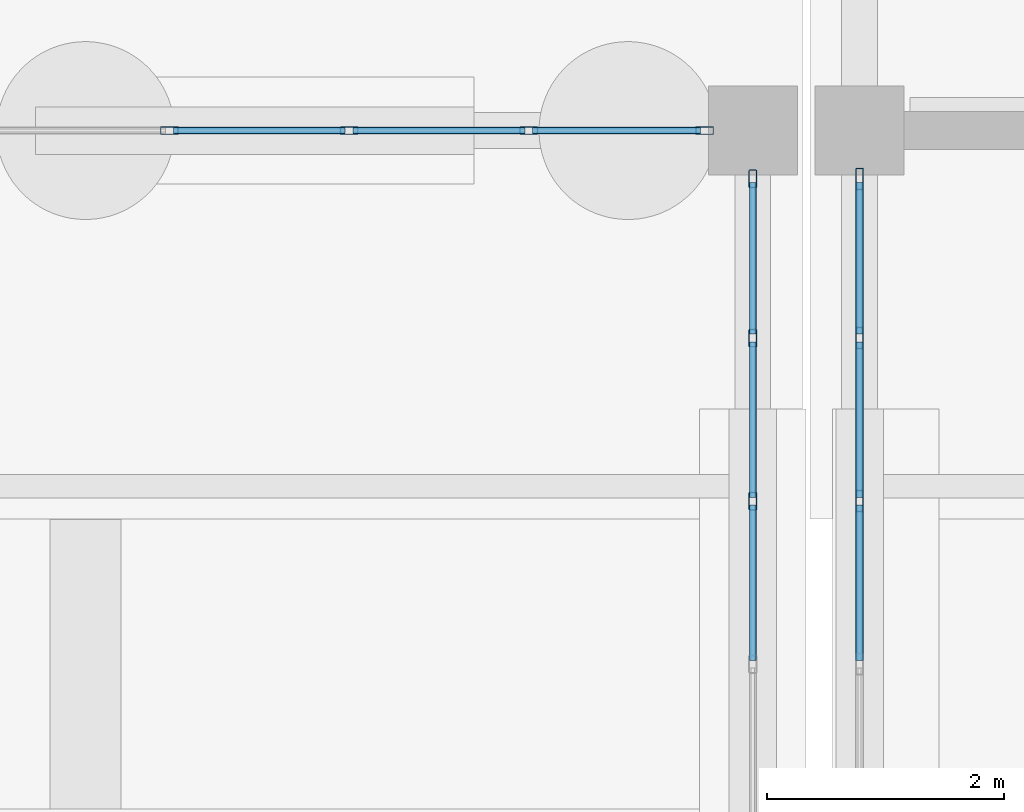
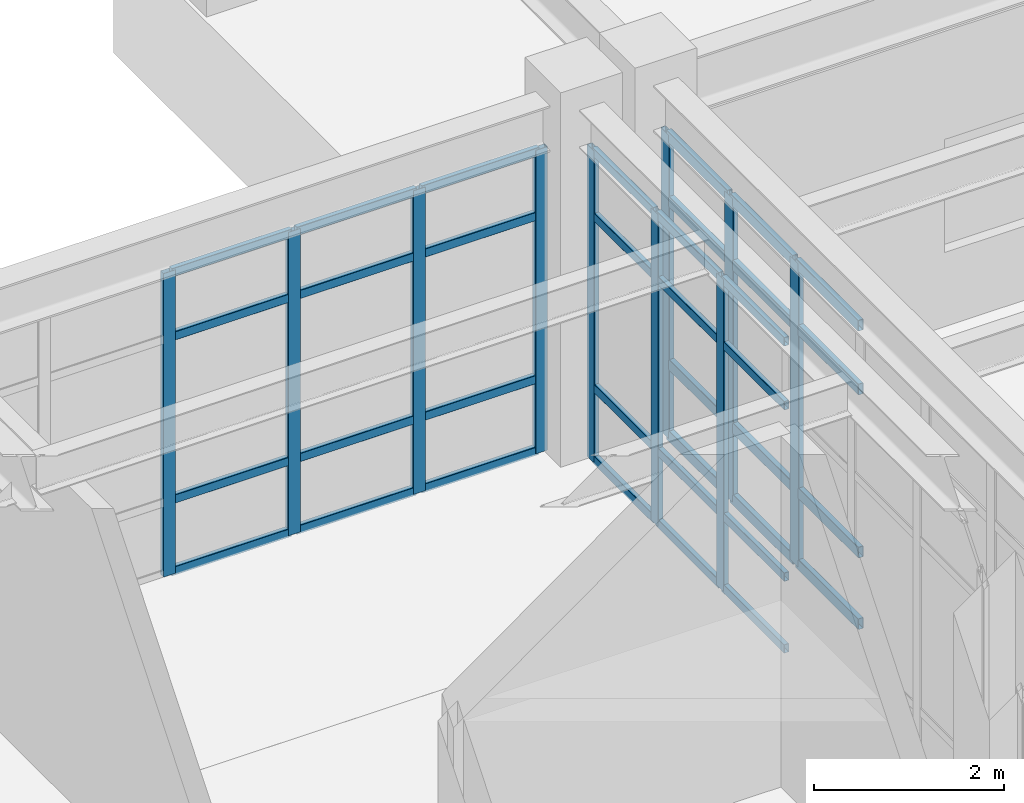
# One storey, part 82 of 139: 46 members, 3 elements without a shape of their own.
"""IFC4 building model written with IfcOpenShell, lengths in metres."""

from ifc_helpers import new_model, si_unit, direction, frame, origin, origin_2d, place, context, subcontext, project, spatial, hollow_rectangle, extrude, material, material_profile, profile_set, type_object, element, aggregate, save


model = new_model("IFC4")

# Units and contexts
model_context = context("Model", 3, precision=1e-05, world=origin(), true_north=direction((0.0, 1.0)))
body_context = subcontext(model_context, "Body", "Model", "MODEL_VIEW")
ifc_project = project(units=[si_unit("LENGTHUNIT", "METRE"), si_unit("AREAUNIT", "SQUARE_METRE"), si_unit("VOLUMEUNIT", "CUBIC_METRE"), si_unit("PLANEANGLEUNIT", "RADIAN"), si_unit("MASSUNIT", "GRAM", prefix="KILO")], contexts=[model_context])

# Site, building, storey
site_placement = place(None, origin())
site = spatial("IfcSite", under=ifc_project, at=site_placement, CompositionType="ELEMENT")
building_placement = place(site_placement, origin())
building = spatial("IfcBuilding", under=site, at=building_placement, Name="Canglan Escarpment Cableway Terminal", CompositionType="ELEMENT")
storey_placement = place(building_placement, frame((0.0, 0.0, 14.39990234375)))
storey = spatial("IfcBuildingStorey", under=building, at=storey_placement, Name="L03", CompositionType="ELEMENT", Elevation=14.39990234375)

# Curtain wall, members
ifc_material_1 = material(Name="Anodized bronze aluminium and Low-E double glazing", Category="aluminium")
curtain_wall_type_1 = type_object("IfcCurtainWallType", Name="CW-BAY-8250x4000", PredefinedType="NOTDEFINED", material=ifc_material_1)
curtain_wall_1_placement = place(storey_placement, origin())
curtain_wall_1 = element("IfcCurtainWall", 1, at=curtain_wall_1_placement, inside=storey, type_object=curtain_wall_type_1, Name="Classical bay-between-piers glazed curtain wall CW-48", PredefinedType="NOTDEFINED")
ifc_material_2 = material(Name="Thermally broken anodized aluminium 6063-T6", Category="aluminium")
ifc_material_profile_1 = material_profile(ifc_material_2, hollow_rectangle(XDim=0.06494140625, YDim=0.14990234375, WallThickness=0.00341796875, InnerFilletRadius=0.00341796875, OuterFilletRadius=0.007080078125, at=origin_2d()), Name="ALU-MULL 65x150x3.5")
ifc_profile_set_1 = profile_set([ifc_material_profile_1], Name="Thermally broken anodized aluminium 6063-T6")
member_type_1 = type_object("IfcMemberType", Name="CWM-02", PredefinedType="MULLION", material=ifc_profile_set_1)
member_1_placement = place(storey_placement, frame((136.699951171875, 111.875, 0.0), z_axis=(0.0, 0.0, 1.0), x_axis=(-1.0, 0.0, 0.0)))
member_1 = element("IfcMember", 2, at=member_1_placement, type_object=member_type_1, Name="CW-48 mullion 5", PredefinedType="MULLION", context=body_context, shape_type="SweptSolid", body=[
    extrude(hollow_rectangle(XDim=0.06494140625, YDim=0.14990234375, WallThickness=0.00341796875, InnerFilletRadius=0.00341796875, OuterFilletRadius=0.007080078125, at=origin_2d()), origin(), (0.0, 0.0, 1.0), 3.9970703125),
])
member_2_placement = place(storey_placement, frame((136.699951171875, 113.25, 0.0), z_axis=(0.0, 0.0, 1.0), x_axis=(-1.0, 0.0, 0.0)))
member_2 = element("IfcMember", 3, at=member_2_placement, type_object=member_type_1, Name="CW-48 mullion 6", PredefinedType="MULLION", context=body_context, shape_type="SweptSolid", body=[
    extrude(hollow_rectangle(XDim=0.06494140625, YDim=0.14990234375, WallThickness=0.00341796875, InnerFilletRadius=0.00341796875, OuterFilletRadius=0.007080078125, at=origin_2d()), origin(), (0.0, 0.0, 1.0), 3.9970703125),
])
member_3_placement = place(storey_placement, frame((136.699951171875, 114.592529296875, 0.0), z_axis=(0.0, 0.0, 1.0), x_axis=(-1.0, 0.0, 0.0)))
member_3 = element("IfcMember", 4, at=member_3_placement, type_object=member_type_1, Name="CW-48 mullion 7", PredefinedType="MULLION", context=body_context, shape_type="SweptSolid", body=[
    extrude(hollow_rectangle(XDim=0.06494140625, YDim=0.14990234375, WallThickness=0.00341796875, InnerFilletRadius=0.00341796875, OuterFilletRadius=0.007080078125, at=origin_2d()), origin(), (0.0, 0.0, 1.0), 3.9970703125),
])

curtain_wall_type_2 = type_object("IfcCurtainWallType", Name="CW-BAY-7575x3900", PredefinedType="NOTDEFINED", material=ifc_material_1)
curtain_wall_2_placement = place(storey_placement, origin())
curtain_wall_2 = element("IfcCurtainWall", 5, at=curtain_wall_2_placement, inside=storey, type_object=curtain_wall_type_2, Name="Classical bay-between-piers glazed curtain wall CW-49", PredefinedType="NOTDEFINED")
member_4_placement = place(storey_placement, frame((136.29248046875, 115.0, 0.0), z_axis=(0.0, 0.0, 1.0), x_axis=(0.0, -1.0, 0.0)))
member_4 = element("IfcMember", 6, at=member_4_placement, type_object=member_type_1, Name="CW-49 mullion 1", PredefinedType="MULLION", context=body_context, shape_type="SweptSolid", body=[
    extrude(hollow_rectangle(XDim=0.06494140625, YDim=0.14990234375, WallThickness=0.00341796875, InnerFilletRadius=0.00341796875, OuterFilletRadius=0.007080078125, at=origin_2d()), origin(), (0.0, 0.0, 1.0), 3.89111328125),
])
member_5_placement = place(storey_placement, frame((134.81005859375, 115.0, 0.0), z_axis=(0.0, 0.0, 1.0), x_axis=(0.0, -1.0, 0.0)))
member_5 = element("IfcMember", 7, at=member_5_placement, type_object=member_type_1, Name="CW-49 mullion 2", PredefinedType="MULLION", context=body_context, shape_type="SweptSolid", body=[
    extrude(hollow_rectangle(XDim=0.06494140625, YDim=0.14990234375, WallThickness=0.00341796875, InnerFilletRadius=0.00341796875, OuterFilletRadius=0.007080078125, at=origin_2d()), origin(), (0.0, 0.0, 1.0), 3.89111328125),
])
member_6_placement = place(storey_placement, frame((133.294921875, 115.0, 0.0), z_axis=(0.0, 0.0, 1.0), x_axis=(0.0, -1.0, 0.0)))
member_6 = element("IfcMember", 8, at=member_6_placement, type_object=member_type_1, Name="CW-49 mullion 3", PredefinedType="MULLION", context=body_context, shape_type="SweptSolid", body=[
    extrude(hollow_rectangle(XDim=0.06494140625, YDim=0.14990234375, WallThickness=0.00341796875, InnerFilletRadius=0.00341796875, OuterFilletRadius=0.007080078125, at=origin_2d()), origin(), (0.0, 0.0, 1.0), 3.89111328125),
])
member_7_placement = place(storey_placement, frame((131.780029296875, 115.0, 0.0), z_axis=(0.0, 0.0, 1.0), x_axis=(0.0, -1.0, 0.0)))
member_7 = element("IfcMember", 9, at=member_7_placement, type_object=member_type_1, Name="CW-49 mullion 4", PredefinedType="MULLION", context=body_context, shape_type="SweptSolid", body=[
    extrude(hollow_rectangle(XDim=0.06494140625, YDim=0.14990234375, WallThickness=0.00341796875, InnerFilletRadius=0.00341796875, OuterFilletRadius=0.007080078125, at=origin_2d()), origin(), (0.0, 0.0, 1.0), 3.89111328125),
])

curtain_wall_type_3 = type_object("IfcCurtainWallType", Name="CW-BAY-8250x3900", PredefinedType="NOTDEFINED", material=ifc_material_1)
curtain_wall_3_placement = place(storey_placement, origin())
curtain_wall_3 = element("IfcCurtainWall", 10, at=curtain_wall_3_placement, inside=storey, type_object=curtain_wall_type_3, Name="Classical bay-between-piers glazed curtain wall CW-62", PredefinedType="NOTDEFINED")
ifc_material_profile_2 = material_profile(ifc_material_2, hollow_rectangle(XDim=0.06494140625, YDim=0.179931640625, WallThickness=0.00390625, InnerFilletRadius=0.00390625, OuterFilletRadius=0.008056640625, at=origin_2d()), Name="ALU-MULL 65x180x4")
ifc_profile_set_2 = profile_set([ifc_material_profile_2], Name="Thermally broken anodized aluminium 6063-T6")
member_type_2 = type_object("IfcMemberType", Name="CWM-03", PredefinedType="MULLION", material=ifc_profile_set_2)
member_8_placement = place(storey_placement, frame((137.60009765625, 114.592529296875, 0.0), z_axis=(0.0, 0.0, 1.0), x_axis=(1.0, 0.0, 0.0)))
member_8 = element("IfcMember", 11, at=member_8_placement, type_object=member_type_2, Name="CW-62 mullion 1", PredefinedType="MULLION", context=body_context, shape_type="SweptSolid", body=[
    extrude(hollow_rectangle(XDim=0.06494140625, YDim=0.179931640625, WallThickness=0.00390625, InnerFilletRadius=0.00390625, OuterFilletRadius=0.008056640625, at=origin_2d()), origin(), (0.0, 0.0, 1.0), 3.89111328125),
])
member_9_placement = place(storey_placement, frame((137.60009765625, 113.25, 0.0), z_axis=(0.0, 0.0, 1.0), x_axis=(1.0, 0.0, 0.0)))
member_9 = element("IfcMember", 12, at=member_9_placement, type_object=member_type_2, Name="CW-62 mullion 2", PredefinedType="MULLION", context=body_context, shape_type="SweptSolid", body=[
    extrude(hollow_rectangle(XDim=0.06494140625, YDim=0.179931640625, WallThickness=0.00390625, InnerFilletRadius=0.00390625, OuterFilletRadius=0.008056640625, at=origin_2d()), origin(), (0.0, 0.0, 1.0), 3.89111328125),
])
member_10_placement = place(storey_placement, frame((137.60009765625, 111.875, 0.0), z_axis=(0.0, 0.0, 1.0), x_axis=(1.0, 0.0, 0.0)))
member_10 = element("IfcMember", 13, at=member_10_placement, type_object=member_type_2, Name="CW-62 mullion 3", PredefinedType="MULLION", context=body_context, shape_type="SweptSolid", body=[
    extrude(hollow_rectangle(XDim=0.06494140625, YDim=0.179931640625, WallThickness=0.00390625, InnerFilletRadius=0.00390625, OuterFilletRadius=0.008056640625, at=origin_2d()), origin(), (0.0, 0.0, 1.0), 3.89111328125),
])

# Member
ifc_material_profile_3 = material_profile(ifc_material_2, hollow_rectangle(XDim=0.06005859375, YDim=0.110107421875, WallThickness=0.0029296875, InnerFilletRadius=0.0029296875, OuterFilletRadius=0.006103515625, at=origin_2d()), Name="ALU-TRAN 60x110x3")
ifc_profile_set_3 = profile_set([ifc_material_profile_3], Name="Thermally broken anodized aluminium 6063-T6")
member_type_3 = type_object("IfcMemberType", Name="CWT-02", PredefinedType="USERDEFINED", material=ifc_profile_set_3)
member_11_placement = place(storey_placement, frame((136.699951171875, 110.532470703125, 0.030029296875), z_axis=(0.0, 1.0, 0.0), x_axis=(-1.0, 0.0, 0.0)))
member_11 = element("IfcMember", 14, at=member_11_placement, type_object=member_type_3, Name="CW-48 transom 4.1", ObjectType="TRANSOM", PredefinedType="USERDEFINED", context=body_context, shape_type="SweptSolid", body=[
    extrude(hollow_rectangle(XDim=0.06005859375, YDim=0.110107421875, WallThickness=0.0029296875, InnerFilletRadius=0.0029296875, OuterFilletRadius=0.006103515625, at=origin_2d()), origin(), (0.0, 0.0, 1.0), 1.31005859375),
])

member_12_placement = place(storey_placement, frame((136.699951171875, 110.532470703125, 0.9501953125), z_axis=(0.0, 1.0, 0.0), x_axis=(-1.0, 0.0, 0.0)))
member_12 = element("IfcMember", 15, at=member_12_placement, type_object=member_type_3, Name="CW-48 transom 4.2", ObjectType="TRANSOM", PredefinedType="USERDEFINED", context=body_context, shape_type="SweptSolid", body=[
    extrude(hollow_rectangle(XDim=0.06005859375, YDim=0.110107421875, WallThickness=0.0029296875, InnerFilletRadius=0.0029296875, OuterFilletRadius=0.006103515625, at=origin_2d()), origin(), (0.0, 0.0, 1.0), 1.31005859375),
])

member_13_placement = place(storey_placement, frame((136.699951171875, 110.532470703125, 3.147216796875), z_axis=(0.0, 1.0, 0.0), x_axis=(-1.0, 0.0, 0.0)))
member_13 = element("IfcMember", 16, at=member_13_placement, type_object=member_type_3, Name="CW-48 transom 4.3", ObjectType="TRANSOM", PredefinedType="USERDEFINED", context=body_context, shape_type="SweptSolid", body=[
    extrude(hollow_rectangle(XDim=0.06005859375, YDim=0.110107421875, WallThickness=0.0029296875, InnerFilletRadius=0.0029296875, OuterFilletRadius=0.006103515625, at=origin_2d()), origin(), (0.0, 0.0, 1.0), 1.31005859375),
])

member_14_placement = place(storey_placement, frame((136.699951171875, 110.532470703125, 3.967041015625), z_axis=(0.0, 1.0, 0.0), x_axis=(-1.0, 0.0, 0.0)))
member_14 = element("IfcMember", 17, at=member_14_placement, type_object=member_type_3, Name="CW-48 transom 4.4", ObjectType="TRANSOM", PredefinedType="USERDEFINED", context=body_context, shape_type="SweptSolid", body=[
    extrude(hollow_rectangle(XDim=0.06005859375, YDim=0.110107421875, WallThickness=0.0029296875, InnerFilletRadius=0.0029296875, OuterFilletRadius=0.006103515625, at=origin_2d()), origin(), (0.0, 0.0, 1.0), 1.31005859375),
])

member_15_placement = place(storey_placement, frame((136.699951171875, 111.907470703125, 0.030029296875), z_axis=(0.0, 1.0, 0.0), x_axis=(-1.0, 0.0, 0.0)))
member_15 = element("IfcMember", 18, at=member_15_placement, type_object=member_type_3, Name="CW-48 transom 5.1", ObjectType="TRANSOM", PredefinedType="USERDEFINED", context=body_context, shape_type="SweptSolid", body=[
    extrude(hollow_rectangle(XDim=0.06005859375, YDim=0.110107421875, WallThickness=0.0029296875, InnerFilletRadius=0.0029296875, OuterFilletRadius=0.006103515625, at=origin_2d()), origin(), (0.0, 0.0, 1.0), 1.31005859375),
])

member_16_placement = place(storey_placement, frame((136.699951171875, 111.907470703125, 0.9501953125), z_axis=(0.0, 1.0, 0.0), x_axis=(-1.0, 0.0, 0.0)))
member_16 = element("IfcMember", 19, at=member_16_placement, type_object=member_type_3, Name="CW-48 transom 5.2", ObjectType="TRANSOM", PredefinedType="USERDEFINED", context=body_context, shape_type="SweptSolid", body=[
    extrude(hollow_rectangle(XDim=0.06005859375, YDim=0.110107421875, WallThickness=0.0029296875, InnerFilletRadius=0.0029296875, OuterFilletRadius=0.006103515625, at=origin_2d()), origin(), (0.0, 0.0, 1.0), 1.31005859375),
])

member_17_placement = place(storey_placement, frame((136.699951171875, 111.907470703125, 3.147216796875), z_axis=(0.0, 1.0, 0.0), x_axis=(-1.0, 0.0, 0.0)))
member_17 = element("IfcMember", 20, at=member_17_placement, type_object=member_type_3, Name="CW-48 transom 5.3", ObjectType="TRANSOM", PredefinedType="USERDEFINED", context=body_context, shape_type="SweptSolid", body=[
    extrude(hollow_rectangle(XDim=0.06005859375, YDim=0.110107421875, WallThickness=0.0029296875, InnerFilletRadius=0.0029296875, OuterFilletRadius=0.006103515625, at=origin_2d()), origin(), (0.0, 0.0, 1.0), 1.31005859375),
])

member_18_placement = place(storey_placement, frame((136.699951171875, 111.907470703125, 3.967041015625), z_axis=(0.0, 1.0, 0.0), x_axis=(-1.0, 0.0, 0.0)))
member_18 = element("IfcMember", 21, at=member_18_placement, type_object=member_type_3, Name="CW-48 transom 5.4", ObjectType="TRANSOM", PredefinedType="USERDEFINED", context=body_context, shape_type="SweptSolid", body=[
    extrude(hollow_rectangle(XDim=0.06005859375, YDim=0.110107421875, WallThickness=0.0029296875, InnerFilletRadius=0.0029296875, OuterFilletRadius=0.006103515625, at=origin_2d()), origin(), (0.0, 0.0, 1.0), 1.31005859375),
])

member_19_placement = place(storey_placement, frame((136.699951171875, 113.282470703125, 0.030029296875), z_axis=(0.0, 1.0, 0.0), x_axis=(-1.0, 0.0, 0.0)))
member_19 = element("IfcMember", 22, at=member_19_placement, type_object=member_type_3, Name="CW-48 transom 6.1", ObjectType="TRANSOM", PredefinedType="USERDEFINED", context=body_context, shape_type="SweptSolid", body=[
    extrude(hollow_rectangle(XDim=0.06005859375, YDim=0.110107421875, WallThickness=0.0029296875, InnerFilletRadius=0.0029296875, OuterFilletRadius=0.006103515625, at=origin_2d()), origin(), (0.0, 0.0, 1.0), 1.277587890625),
])

member_20_placement = place(storey_placement, frame((136.699951171875, 113.282470703125, 0.9501953125), z_axis=(0.0, 1.0, 0.0), x_axis=(-1.0, 0.0, 0.0)))
member_20 = element("IfcMember", 23, at=member_20_placement, type_object=member_type_3, Name="CW-48 transom 6.2", ObjectType="TRANSOM", PredefinedType="USERDEFINED", context=body_context, shape_type="SweptSolid", body=[
    extrude(hollow_rectangle(XDim=0.06005859375, YDim=0.110107421875, WallThickness=0.0029296875, InnerFilletRadius=0.0029296875, OuterFilletRadius=0.006103515625, at=origin_2d()), origin(), (0.0, 0.0, 1.0), 1.277587890625),
])

member_21_placement = place(storey_placement, frame((136.699951171875, 113.282470703125, 3.147216796875), z_axis=(0.0, 1.0, 0.0), x_axis=(-1.0, 0.0, 0.0)))
member_21 = element("IfcMember", 24, at=member_21_placement, type_object=member_type_3, Name="CW-48 transom 6.3", ObjectType="TRANSOM", PredefinedType="USERDEFINED", context=body_context, shape_type="SweptSolid", body=[
    extrude(hollow_rectangle(XDim=0.06005859375, YDim=0.110107421875, WallThickness=0.0029296875, InnerFilletRadius=0.0029296875, OuterFilletRadius=0.006103515625, at=origin_2d()), origin(), (0.0, 0.0, 1.0), 1.277587890625),
])

member_22_placement = place(storey_placement, frame((136.699951171875, 113.282470703125, 3.967041015625), z_axis=(0.0, 1.0, 0.0), x_axis=(-1.0, 0.0, 0.0)))
member_22 = element("IfcMember", 25, at=member_22_placement, type_object=member_type_3, Name="CW-48 transom 6.4", ObjectType="TRANSOM", PredefinedType="USERDEFINED", context=body_context, shape_type="SweptSolid", body=[
    extrude(hollow_rectangle(XDim=0.06005859375, YDim=0.110107421875, WallThickness=0.0029296875, InnerFilletRadius=0.0029296875, OuterFilletRadius=0.006103515625, at=origin_2d()), origin(), (0.0, 0.0, 1.0), 1.277587890625),
])

aggregate(curtain_wall_1, [member_1, member_2, member_3, member_11, member_12, member_13, member_14, member_15, member_16, member_17, member_18, member_19, member_20, member_21, member_22])

member_23_placement = place(storey_placement, frame((136.260009765625, 115.0, 0.030029296875), z_axis=(-1.0, 0.0, 0.0), x_axis=(0.0, -1.0, 0.0)))
member_23 = element("IfcMember", 26, at=member_23_placement, type_object=member_type_3, Name="CW-49 transom 1.1", ObjectType="TRANSOM", PredefinedType="USERDEFINED", context=body_context, shape_type="SweptSolid", body=[
    extrude(hollow_rectangle(XDim=0.06005859375, YDim=0.110107421875, WallThickness=0.0029296875, InnerFilletRadius=0.0029296875, OuterFilletRadius=0.006103515625, at=origin_2d()), origin(), (0.0, 0.0, 1.0), 1.41748046875),
])

member_24_placement = place(storey_placement, frame((136.260009765625, 115.0, 0.9501953125), z_axis=(-1.0, 0.0, 0.0), x_axis=(0.0, -1.0, 0.0)))
member_24 = element("IfcMember", 27, at=member_24_placement, type_object=member_type_3, Name="CW-49 transom 1.2", ObjectType="TRANSOM", PredefinedType="USERDEFINED", context=body_context, shape_type="SweptSolid", body=[
    extrude(hollow_rectangle(XDim=0.06005859375, YDim=0.110107421875, WallThickness=0.0029296875, InnerFilletRadius=0.0029296875, OuterFilletRadius=0.006103515625, at=origin_2d()), origin(), (0.0, 0.0, 1.0), 1.41748046875),
])

member_25_placement = place(storey_placement, frame((136.260009765625, 115.0, 3.041015625), z_axis=(-1.0, 0.0, 0.0), x_axis=(0.0, -1.0, 0.0)))
member_25 = element("IfcMember", 28, at=member_25_placement, type_object=member_type_3, Name="CW-49 transom 1.3", ObjectType="TRANSOM", PredefinedType="USERDEFINED", context=body_context, shape_type="SweptSolid", body=[
    extrude(hollow_rectangle(XDim=0.06005859375, YDim=0.110107421875, WallThickness=0.0029296875, InnerFilletRadius=0.0029296875, OuterFilletRadius=0.006103515625, at=origin_2d()), origin(), (0.0, 0.0, 1.0), 1.41748046875),
])

member_26_placement = place(storey_placement, frame((136.260009765625, 115.0, 3.861083984375), z_axis=(-1.0, 0.0, 0.0), x_axis=(0.0, -1.0, 0.0)))
member_26 = element("IfcMember", 29, at=member_26_placement, type_object=member_type_3, Name="CW-49 transom 1.4", ObjectType="TRANSOM", PredefinedType="USERDEFINED", context=body_context, shape_type="SweptSolid", body=[
    extrude(hollow_rectangle(XDim=0.06005859375, YDim=0.110107421875, WallThickness=0.0029296875, InnerFilletRadius=0.0029296875, OuterFilletRadius=0.006103515625, at=origin_2d()), origin(), (0.0, 0.0, 1.0), 1.41748046875),
])

member_27_placement = place(storey_placement, frame((134.777587890625, 115.0, 0.030029296875), z_axis=(-1.0, 0.0, 0.0), x_axis=(0.0, -1.0, 0.0)))
member_27 = element("IfcMember", 30, at=member_27_placement, type_object=member_type_3, Name="CW-49 transom 2.1", ObjectType="TRANSOM", PredefinedType="USERDEFINED", context=body_context, shape_type="SweptSolid", body=[
    extrude(hollow_rectangle(XDim=0.06005859375, YDim=0.110107421875, WallThickness=0.0029296875, InnerFilletRadius=0.0029296875, OuterFilletRadius=0.006103515625, at=origin_2d()), origin(), (0.0, 0.0, 1.0), 1.4501953125),
])

member_28_placement = place(storey_placement, frame((134.777587890625, 115.0, 0.9501953125), z_axis=(-1.0, 0.0, 0.0), x_axis=(0.0, -1.0, 0.0)))
member_28 = element("IfcMember", 31, at=member_28_placement, type_object=member_type_3, Name="CW-49 transom 2.2", ObjectType="TRANSOM", PredefinedType="USERDEFINED", context=body_context, shape_type="SweptSolid", body=[
    extrude(hollow_rectangle(XDim=0.06005859375, YDim=0.110107421875, WallThickness=0.0029296875, InnerFilletRadius=0.0029296875, OuterFilletRadius=0.006103515625, at=origin_2d()), origin(), (0.0, 0.0, 1.0), 1.4501953125),
])

member_29_placement = place(storey_placement, frame((134.777587890625, 115.0, 3.041015625), z_axis=(-1.0, 0.0, 0.0), x_axis=(0.0, -1.0, 0.0)))
member_29 = element("IfcMember", 32, at=member_29_placement, type_object=member_type_3, Name="CW-49 transom 2.3", ObjectType="TRANSOM", PredefinedType="USERDEFINED", context=body_context, shape_type="SweptSolid", body=[
    extrude(hollow_rectangle(XDim=0.06005859375, YDim=0.110107421875, WallThickness=0.0029296875, InnerFilletRadius=0.0029296875, OuterFilletRadius=0.006103515625, at=origin_2d()), origin(), (0.0, 0.0, 1.0), 1.4501953125),
])

member_30_placement = place(storey_placement, frame((134.777587890625, 115.0, 3.861083984375), z_axis=(-1.0, 0.0, 0.0), x_axis=(0.0, -1.0, 0.0)))
member_30 = element("IfcMember", 33, at=member_30_placement, type_object=member_type_3, Name="CW-49 transom 2.4", ObjectType="TRANSOM", PredefinedType="USERDEFINED", context=body_context, shape_type="SweptSolid", body=[
    extrude(hollow_rectangle(XDim=0.06005859375, YDim=0.110107421875, WallThickness=0.0029296875, InnerFilletRadius=0.0029296875, OuterFilletRadius=0.006103515625, at=origin_2d()), origin(), (0.0, 0.0, 1.0), 1.4501953125),
])

member_31_placement = place(storey_placement, frame((133.262451171875, 115.0, 0.030029296875), z_axis=(-1.0, 0.0, 0.0), x_axis=(0.0, -1.0, 0.0)))
member_31 = element("IfcMember", 34, at=member_31_placement, type_object=member_type_3, Name="CW-49 transom 3.1", ObjectType="TRANSOM", PredefinedType="USERDEFINED", context=body_context, shape_type="SweptSolid", body=[
    extrude(hollow_rectangle(XDim=0.06005859375, YDim=0.110107421875, WallThickness=0.0029296875, InnerFilletRadius=0.0029296875, OuterFilletRadius=0.006103515625, at=origin_2d()), origin(), (0.0, 0.0, 1.0), 1.449951171875),
])

member_32_placement = place(storey_placement, frame((133.262451171875, 115.0, 0.9501953125), z_axis=(-1.0, 0.0, 0.0), x_axis=(0.0, -1.0, 0.0)))
member_32 = element("IfcMember", 35, at=member_32_placement, type_object=member_type_3, Name="CW-49 transom 3.2", ObjectType="TRANSOM", PredefinedType="USERDEFINED", context=body_context, shape_type="SweptSolid", body=[
    extrude(hollow_rectangle(XDim=0.06005859375, YDim=0.110107421875, WallThickness=0.0029296875, InnerFilletRadius=0.0029296875, OuterFilletRadius=0.006103515625, at=origin_2d()), origin(), (0.0, 0.0, 1.0), 1.449951171875),
])

member_33_placement = place(storey_placement, frame((133.262451171875, 115.0, 3.041015625), z_axis=(-1.0, 0.0, 0.0), x_axis=(0.0, -1.0, 0.0)))
member_33 = element("IfcMember", 36, at=member_33_placement, type_object=member_type_3, Name="CW-49 transom 3.3", ObjectType="TRANSOM", PredefinedType="USERDEFINED", context=body_context, shape_type="SweptSolid", body=[
    extrude(hollow_rectangle(XDim=0.06005859375, YDim=0.110107421875, WallThickness=0.0029296875, InnerFilletRadius=0.0029296875, OuterFilletRadius=0.006103515625, at=origin_2d()), origin(), (0.0, 0.0, 1.0), 1.449951171875),
])

member_34_placement = place(storey_placement, frame((133.262451171875, 115.0, 3.861083984375), z_axis=(-1.0, 0.0, 0.0), x_axis=(0.0, -1.0, 0.0)))
member_34 = element("IfcMember", 37, at=member_34_placement, type_object=member_type_3, Name="CW-49 transom 3.4", ObjectType="TRANSOM", PredefinedType="USERDEFINED", context=body_context, shape_type="SweptSolid", body=[
    extrude(hollow_rectangle(XDim=0.06005859375, YDim=0.110107421875, WallThickness=0.0029296875, InnerFilletRadius=0.0029296875, OuterFilletRadius=0.006103515625, at=origin_2d()), origin(), (0.0, 0.0, 1.0), 1.449951171875),
])

aggregate(curtain_wall_2, [member_4, member_5, member_6, member_7, member_23, member_24, member_25, member_26, member_27, member_28, member_29, member_30, member_31, member_32, member_33, member_34])

ifc_material_profile_4 = material_profile(ifc_material_2, hollow_rectangle(XDim=0.06494140625, YDim=0.139892578125, WallThickness=0.00341796875, InnerFilletRadius=0.00341796875, OuterFilletRadius=0.007080078125, at=origin_2d()), Name="ALU-TRAN 65x140x3.5")
ifc_profile_set_4 = profile_set([ifc_material_profile_4], Name="Thermally broken anodized aluminium 6063-T6")
member_type_4 = type_object("IfcMemberType", Name="CWT-03", PredefinedType="USERDEFINED", material=ifc_profile_set_4)
member_35_placement = place(storey_placement, frame((137.60009765625, 114.56005859375, 0.03271484375), z_axis=(0.0, -1.0, 0.0), x_axis=(1.0, 0.0, 0.0)))
member_35 = element("IfcMember", 38, at=member_35_placement, type_object=member_type_4, Name="CW-62 transom 1.1", ObjectType="TRANSOM", PredefinedType="USERDEFINED", context=body_context, shape_type="SweptSolid", body=[
    extrude(hollow_rectangle(XDim=0.06494140625, YDim=0.139892578125, WallThickness=0.00341796875, InnerFilletRadius=0.00341796875, OuterFilletRadius=0.007080078125, at=origin_2d()), origin(), (0.0, 0.0, 1.0), 1.277587890625),
])

member_36_placement = place(storey_placement, frame((137.60009765625, 114.56005859375, 0.9501953125), z_axis=(0.0, -1.0, 0.0), x_axis=(1.0, 0.0, 0.0)))
member_36 = element("IfcMember", 39, at=member_36_placement, type_object=member_type_4, Name="CW-62 transom 1.2", ObjectType="TRANSOM", PredefinedType="USERDEFINED", context=body_context, shape_type="SweptSolid", body=[
    extrude(hollow_rectangle(XDim=0.06494140625, YDim=0.139892578125, WallThickness=0.00341796875, InnerFilletRadius=0.00341796875, OuterFilletRadius=0.007080078125, at=origin_2d()), origin(), (0.0, 0.0, 1.0), 1.277587890625),
])

member_37_placement = place(storey_placement, frame((137.60009765625, 114.56005859375, 3.041015625), z_axis=(0.0, -1.0, 0.0), x_axis=(1.0, 0.0, 0.0)))
member_37 = element("IfcMember", 40, at=member_37_placement, type_object=member_type_4, Name="CW-62 transom 1.3", ObjectType="TRANSOM", PredefinedType="USERDEFINED", context=body_context, shape_type="SweptSolid", body=[
    extrude(hollow_rectangle(XDim=0.06494140625, YDim=0.139892578125, WallThickness=0.00341796875, InnerFilletRadius=0.00341796875, OuterFilletRadius=0.007080078125, at=origin_2d()), origin(), (0.0, 0.0, 1.0), 1.277587890625),
])

member_38_placement = place(storey_placement, frame((137.60009765625, 114.56005859375, 3.858642578125), z_axis=(0.0, -1.0, 0.0), x_axis=(1.0, 0.0, 0.0)))
member_38 = element("IfcMember", 41, at=member_38_placement, type_object=member_type_4, Name="CW-62 transom 1.4", ObjectType="TRANSOM", PredefinedType="USERDEFINED", context=body_context, shape_type="SweptSolid", body=[
    extrude(hollow_rectangle(XDim=0.06494140625, YDim=0.139892578125, WallThickness=0.00341796875, InnerFilletRadius=0.00341796875, OuterFilletRadius=0.007080078125, at=origin_2d()), origin(), (0.0, 0.0, 1.0), 1.277587890625),
])

member_39_placement = place(storey_placement, frame((137.60009765625, 113.217529296875, 0.03271484375), z_axis=(0.0, -1.0, 0.0), x_axis=(1.0, 0.0, 0.0)))
member_39 = element("IfcMember", 42, at=member_39_placement, type_object=member_type_4, Name="CW-62 transom 2.1", ObjectType="TRANSOM", PredefinedType="USERDEFINED", context=body_context, shape_type="SweptSolid", body=[
    extrude(hollow_rectangle(XDim=0.06494140625, YDim=0.139892578125, WallThickness=0.00341796875, InnerFilletRadius=0.00341796875, OuterFilletRadius=0.007080078125, at=origin_2d()), origin(), (0.0, 0.0, 1.0), 1.31005859375),
])

member_40_placement = place(storey_placement, frame((137.60009765625, 113.217529296875, 0.9501953125), z_axis=(0.0, -1.0, 0.0), x_axis=(1.0, 0.0, 0.0)))
member_40 = element("IfcMember", 43, at=member_40_placement, type_object=member_type_4, Name="CW-62 transom 2.2", ObjectType="TRANSOM", PredefinedType="USERDEFINED", context=body_context, shape_type="SweptSolid", body=[
    extrude(hollow_rectangle(XDim=0.06494140625, YDim=0.139892578125, WallThickness=0.00341796875, InnerFilletRadius=0.00341796875, OuterFilletRadius=0.007080078125, at=origin_2d()), origin(), (0.0, 0.0, 1.0), 1.31005859375),
])

member_41_placement = place(storey_placement, frame((137.60009765625, 113.217529296875, 3.041015625), z_axis=(0.0, -1.0, 0.0), x_axis=(1.0, 0.0, 0.0)))
member_41 = element("IfcMember", 44, at=member_41_placement, type_object=member_type_4, Name="CW-62 transom 2.3", ObjectType="TRANSOM", PredefinedType="USERDEFINED", context=body_context, shape_type="SweptSolid", body=[
    extrude(hollow_rectangle(XDim=0.06494140625, YDim=0.139892578125, WallThickness=0.00341796875, InnerFilletRadius=0.00341796875, OuterFilletRadius=0.007080078125, at=origin_2d()), origin(), (0.0, 0.0, 1.0), 1.31005859375),
])

member_42_placement = place(storey_placement, frame((137.60009765625, 113.217529296875, 3.858642578125), z_axis=(0.0, -1.0, 0.0), x_axis=(1.0, 0.0, 0.0)))
member_42 = element("IfcMember", 45, at=member_42_placement, type_object=member_type_4, Name="CW-62 transom 2.4", ObjectType="TRANSOM", PredefinedType="USERDEFINED", context=body_context, shape_type="SweptSolid", body=[
    extrude(hollow_rectangle(XDim=0.06494140625, YDim=0.139892578125, WallThickness=0.00341796875, InnerFilletRadius=0.00341796875, OuterFilletRadius=0.007080078125, at=origin_2d()), origin(), (0.0, 0.0, 1.0), 1.31005859375),
])

member_43_placement = place(storey_placement, frame((137.60009765625, 111.842529296875, 0.03271484375), z_axis=(0.0, -1.0, 0.0), x_axis=(1.0, 0.0, 0.0)))
member_43 = element("IfcMember", 46, at=member_43_placement, type_object=member_type_4, Name="CW-62 transom 3.1", ObjectType="TRANSOM", PredefinedType="USERDEFINED", context=body_context, shape_type="SweptSolid", body=[
    extrude(hollow_rectangle(XDim=0.06494140625, YDim=0.139892578125, WallThickness=0.00341796875, InnerFilletRadius=0.00341796875, OuterFilletRadius=0.007080078125, at=origin_2d()), origin(), (0.0, 0.0, 1.0), 1.31005859375),
])

member_44_placement = place(storey_placement, frame((137.60009765625, 111.842529296875, 0.9501953125), z_axis=(0.0, -1.0, 0.0), x_axis=(1.0, 0.0, 0.0)))
member_44 = element("IfcMember", 47, at=member_44_placement, type_object=member_type_4, Name="CW-62 transom 3.2", ObjectType="TRANSOM", PredefinedType="USERDEFINED", context=body_context, shape_type="SweptSolid", body=[
    extrude(hollow_rectangle(XDim=0.06494140625, YDim=0.139892578125, WallThickness=0.00341796875, InnerFilletRadius=0.00341796875, OuterFilletRadius=0.007080078125, at=origin_2d()), origin(), (0.0, 0.0, 1.0), 1.31005859375),
])

member_45_placement = place(storey_placement, frame((137.60009765625, 111.842529296875, 3.041015625), z_axis=(0.0, -1.0, 0.0), x_axis=(1.0, 0.0, 0.0)))
member_45 = element("IfcMember", 48, at=member_45_placement, type_object=member_type_4, Name="CW-62 transom 3.3", ObjectType="TRANSOM", PredefinedType="USERDEFINED", context=body_context, shape_type="SweptSolid", body=[
    extrude(hollow_rectangle(XDim=0.06494140625, YDim=0.139892578125, WallThickness=0.00341796875, InnerFilletRadius=0.00341796875, OuterFilletRadius=0.007080078125, at=origin_2d()), origin(), (0.0, 0.0, 1.0), 1.31005859375),
])

member_46_placement = place(storey_placement, frame((137.60009765625, 111.842529296875, 3.858642578125), z_axis=(0.0, -1.0, 0.0), x_axis=(1.0, 0.0, 0.0)))
member_46 = element("IfcMember", 49, at=member_46_placement, type_object=member_type_4, Name="CW-62 transom 3.4", ObjectType="TRANSOM", PredefinedType="USERDEFINED", context=body_context, shape_type="SweptSolid", body=[
    extrude(hollow_rectangle(XDim=0.06494140625, YDim=0.139892578125, WallThickness=0.00341796875, InnerFilletRadius=0.00341796875, OuterFilletRadius=0.007080078125, at=origin_2d()), origin(), (0.0, 0.0, 1.0), 1.31005859375),
])

aggregate(curtain_wall_3, [member_8, member_9, member_10, member_35, member_36, member_37, member_38, member_39, member_40, member_41, member_42, member_43, member_44, member_45, member_46])

save(model, "model.ifc")
